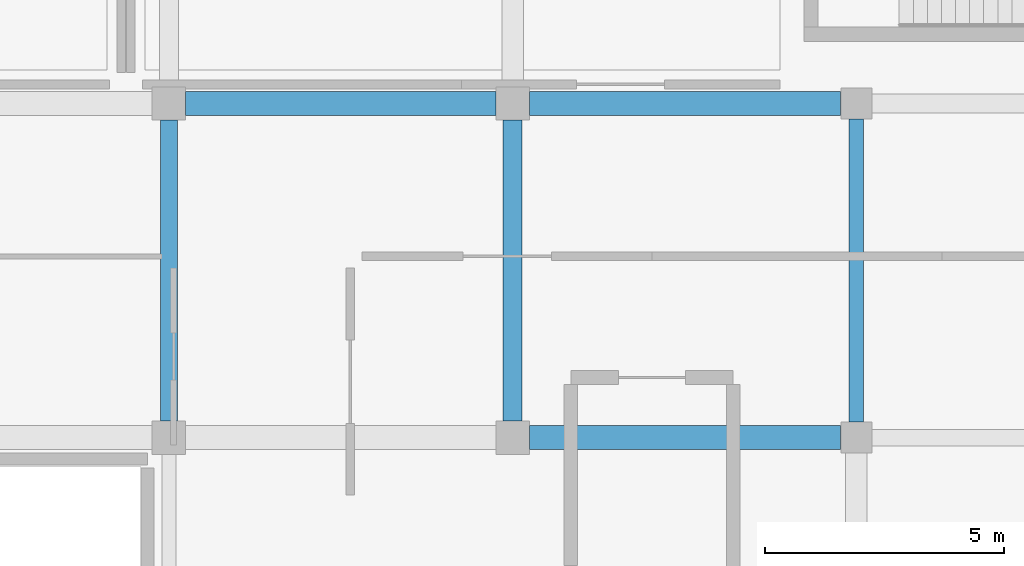
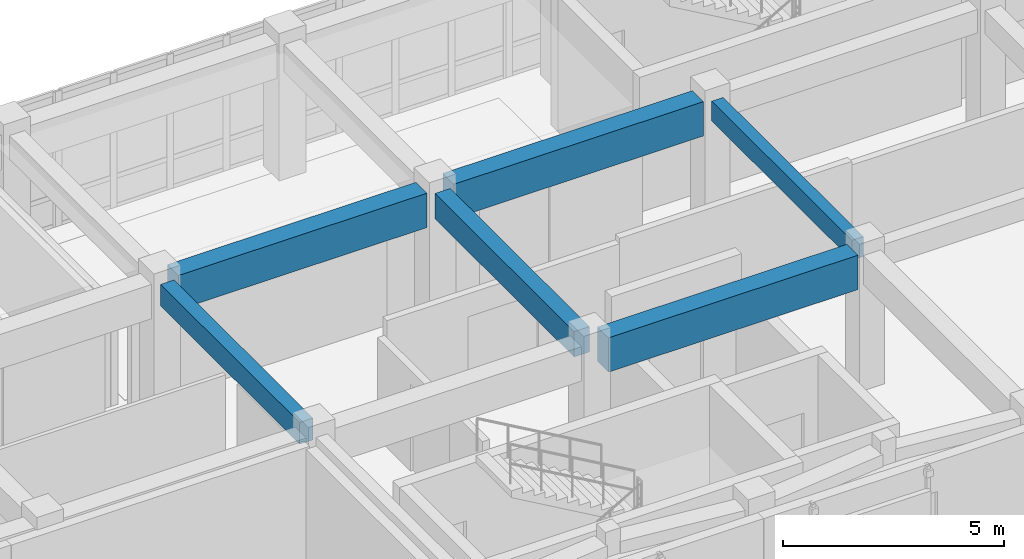
# One storey, part 20 of 146: 6 beams.
"""IFC4 building model written with IfcOpenShell, lengths in metres."""

from ifc_helpers import new_model, si_unit, direction, frame, origin, origin_2d, place, context, subcontext, project, spatial, rectangle, extrude, material, material_profile, profile_set, type_object, element, save


model = new_model("IFC4")

# Units and contexts
model_context = context("Model", 3, precision=1e-05, world=origin(), true_north=direction((0.0, 1.0)))
body_context = subcontext(model_context, "Body", "Model", "MODEL_VIEW")
ifc_project = project(units=[si_unit("LENGTHUNIT", "METRE"), si_unit("AREAUNIT", "SQUARE_METRE"), si_unit("VOLUMEUNIT", "CUBIC_METRE"), si_unit("PLANEANGLEUNIT", "RADIAN"), si_unit("MASSUNIT", "GRAM", prefix="KILO")], contexts=[model_context])

# Site, building, storey
site_placement = place(None, origin())
site = spatial("IfcSite", under=ifc_project, at=site_placement, CompositionType="ELEMENT")
building_placement = place(site_placement, origin())
building = spatial("IfcBuilding", under=site, at=building_placement, Name="Valcora Specialist Clinic", CompositionType="ELEMENT")
storey_placement = place(building_placement, frame((0.0, 0.0, 9.52001953125)))
storey = spatial("IfcBuildingStorey", under=building, at=storey_placement, Name="L02", CompositionType="ELEMENT", Elevation=9.52001953125)

# Beams
ifc_material = material(Name="Concrete C40/50", Category="concrete")
ifc_material_profile_1 = material_profile(ifc_material, rectangle(XDim=0.300048828125, YDim=0.550048828125, at=origin_2d()), Name="RC-BM-300X550")
ifc_profile_set_1 = profile_set([ifc_material_profile_1], Name="Concrete C40/50")
beam_type_1 = type_object("IfcBeamType", Name="TY-BM-RC300X550", PredefinedType="BEAM", material=ifc_profile_set_1)
beam_1_placement = place(storey_placement, frame((30.60009765625, 8.52490234375, 3.4599609375), z_axis=(0.0, 1.0, 0.0), x_axis=(-1.0, 0.0, 0.0)))
element("IfcBeam", 1, at=beam_1_placement, inside=storey, type_object=beam_type_1, Name="Beam BM-L02-1019", PredefinedType="BEAM", context=body_context, shape_type="SweptSolid", body=[
    extrude(rectangle(XDim=0.300048828125, YDim=0.550048828125, at=origin_2d()), origin(), (0.0, 0.0, 1.0), 6.35009765625),
])
ifc_material_profile_2 = material_profile(ifc_material, rectangle(XDim=0.35009765625, YDim=0.60009765625, at=origin_2d()), Name="RC-BM-350X600")
ifc_profile_set_2 = profile_set([ifc_material_profile_2], Name="Concrete C40/50")
beam_type_2 = type_object("IfcBeamType", Name="TY-BM-RC350X600", PredefinedType="BEAM", material=ifc_profile_set_2)
beam_2_placement = place(storey_placement, frame((16.199951171875, 8.550048828125, 3.43505859375), z_axis=(0.0, 1.0, 0.0), x_axis=(-1.0, 0.0, 0.0)))
element("IfcBeam", 2, at=beam_2_placement, inside=storey, type_object=beam_type_2, Name="Beam BM-L02-1014", PredefinedType="BEAM", context=body_context, shape_type="SweptSolid", body=[
    extrude(rectangle(XDim=0.35009765625, YDim=0.60009765625, at=origin_2d()), origin(), (0.0, 0.0, 1.0), 6.300048828125),
])
ifc_material_profile_3 = material_profile(ifc_material, rectangle(XDim=0.39990234375, YDim=0.699951171875, at=origin_2d()), Name="RC-BM-400X700")
ifc_profile_set_3 = profile_set([ifc_material_profile_3], Name="Concrete C40/50")
beam_type_3 = type_object("IfcBeamType", Name="TY-BM-RC400X700", PredefinedType="BEAM", material=ifc_profile_set_3)
beam_3_placement = place(storey_placement, frame((23.39990234375, 8.550048828125, 3.385009765625), z_axis=(0.0, 1.0, 0.0), x_axis=(-1.0, 0.0, 0.0)))
element("IfcBeam", 3, at=beam_3_placement, inside=storey, type_object=beam_type_3, Name="Beam BM-L02-1016", PredefinedType="BEAM", context=body_context, shape_type="SweptSolid", body=[
    extrude(rectangle(XDim=0.39990234375, YDim=0.699951171875, at=origin_2d()), origin(), (0.0, 0.0, 1.0), 6.300048828125),
])
ifc_material_profile_4 = material_profile(ifc_material, rectangle(XDim=0.5, YDim=0.949951171875, at=origin_2d()), Name="RC-BM-500X950")
ifc_profile_set_4 = profile_set([ifc_material_profile_4], Name="Concrete C40/50")
beam_type_4 = type_object("IfcBeamType", Name="TY-BM-TR500X950", PredefinedType="BEAM", material=ifc_profile_set_4)
beam_4_placement = place(storey_placement, frame((23.75, 8.199951171875, 3.260009765625), z_axis=(1.0, 0.0, 0.0), x_axis=(0.0, 1.0, 0.0)))
element("IfcBeam", 4, at=beam_4_placement, inside=storey, type_object=beam_type_4, Name="Beam BM-L02-0991", PredefinedType="BEAM", context=body_context, shape_type="SweptSolid", body=[
    extrude(rectangle(XDim=0.5, YDim=0.949951171875, at=origin_2d()), origin(), (0.0, 0.0, 1.0), 6.52490234375),
])
beam_5_placement = place(storey_placement, frame((16.550048828125, 15.199951171875, 3.260009765625), z_axis=(1.0, 0.0, 0.0), x_axis=(0.0, 1.0, 0.0)))
element("IfcBeam", 5, at=beam_5_placement, inside=storey, type_object=beam_type_4, Name="Beam BM-L02-0997", PredefinedType="BEAM", context=body_context, shape_type="SweptSolid", body=[
    extrude(rectangle(XDim=0.5, YDim=0.949951171875, at=origin_2d()), origin(), (0.0, 0.0, 1.0), 6.5),
])
beam_6_placement = place(storey_placement, frame((23.75, 15.199951171875, 3.260009765625), z_axis=(1.0, 0.0, 0.0), x_axis=(0.0, 1.0, 0.0)))
element("IfcBeam", 6, at=beam_6_placement, inside=storey, type_object=beam_type_4, Name="Beam BM-L02-0998", PredefinedType="BEAM", context=body_context, shape_type="SweptSolid", body=[
    extrude(rectangle(XDim=0.5, YDim=0.949951171875, at=origin_2d()), origin(), (0.0, 0.0, 1.0), 6.52490234375),
])

save(model, "model.ifc")
